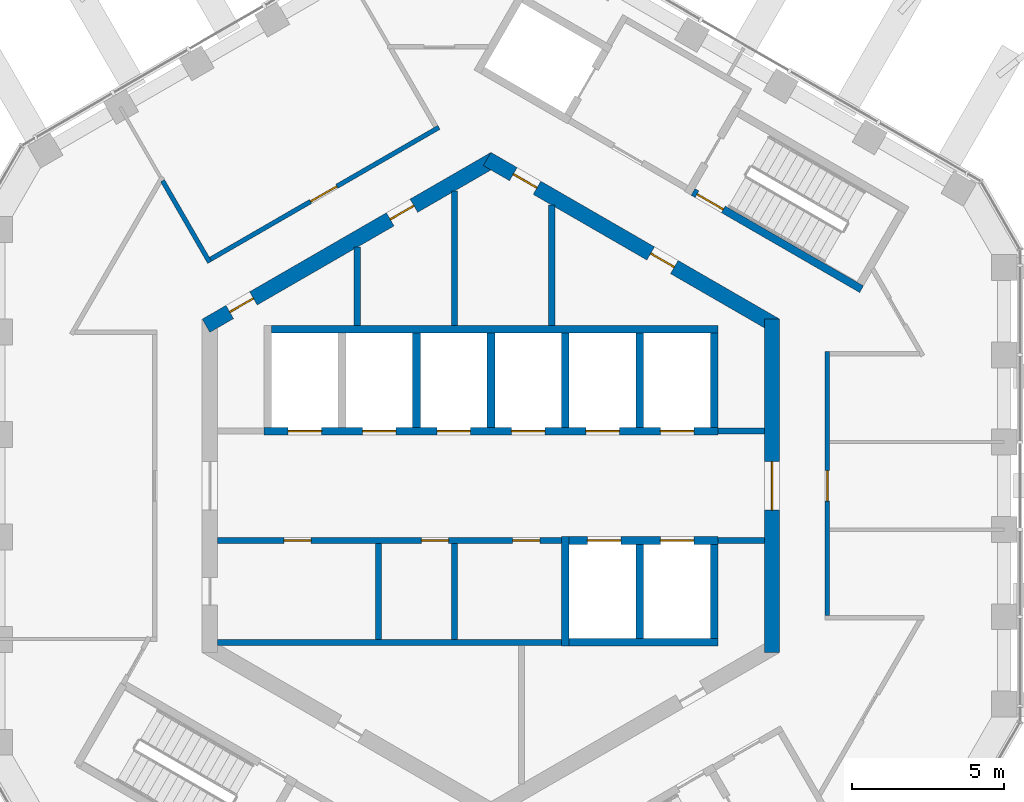
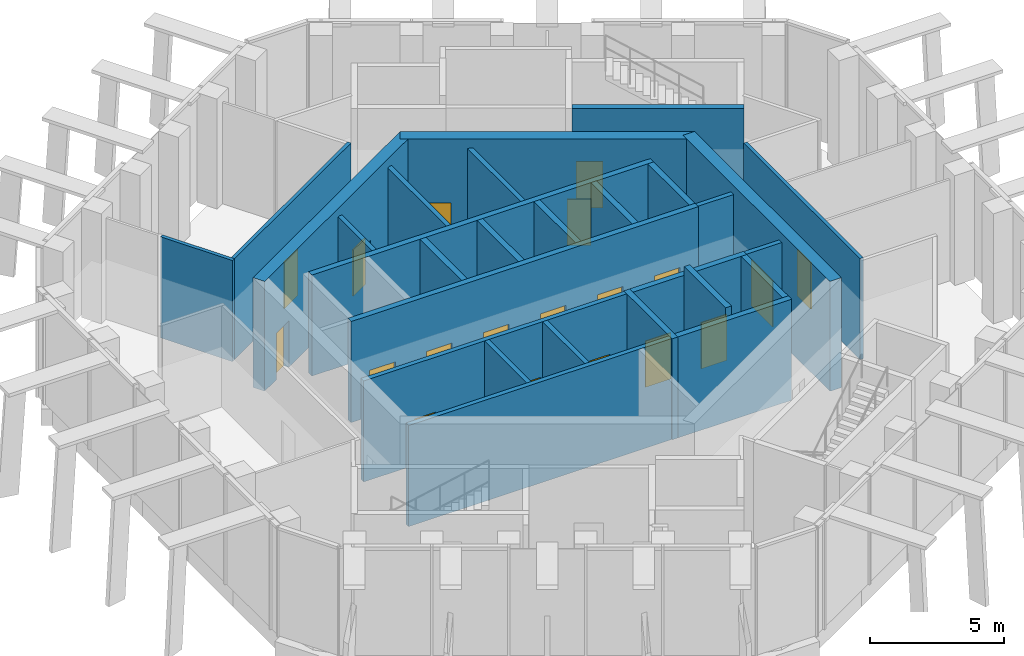
# One storey, part 12 of 17: 28 walls, 19 doors, 19 openings.
"""IFC4 building model written with IfcOpenShell, lengths in metres."""

from ifc_helpers import new_model, si_unit, direction, frame, frame_2d, origin, place, context, subcontext, project, spatial, rectangle, extrude, material, layer, layer_set, type_object, element, fill, save


model = new_model("IFC4")

# Units and contexts
model_context = context("Model", 3, precision=1e-05, world=origin(), true_north=direction((0.0, 1.0)))
body_context = subcontext(model_context, "Body", "Model", "MODEL_VIEW")
ifc_project = project(units=[si_unit("LENGTHUNIT", "METRE"), si_unit("AREAUNIT", "SQUARE_METRE"), si_unit("VOLUMEUNIT", "CUBIC_METRE"), si_unit("PLANEANGLEUNIT", "RADIAN"), si_unit("MASSUNIT", "GRAM", prefix="KILO")], contexts=[model_context])

# Site, building, storey
site_placement = place(None, origin())
site = spatial("IfcSite", under=ifc_project, at=site_placement, CompositionType="ELEMENT")
building_placement = place(site_placement, origin())
building = spatial("IfcBuilding", under=site, at=building_placement, Name="Ayvan Gate Tower", CompositionType="ELEMENT")
storey_placement = place(building_placement, frame((0.0, 0.0, 257.89990234375)))
storey = spatial("IfcBuildingStorey", under=building, at=storey_placement, Name="L69", CompositionType="ELEMENT", Elevation=257.89990234375)

# Wall, opening, door
ifc_material_1 = material(Name="Concrete C60/75", Category="concrete")
ifc_layer_1 = layer(ifc_material_1, 0.5)
ifc_layer_set_1 = layer_set([ifc_layer_1], Name="Concrete C60/75")
wall_type_1 = type_object("IfcWallType", Name="Core wall 500 C60/75", PredefinedType="SHEAR", material=ifc_layer_set_1)
wall_1_placement = place(storey_placement, frame((9.25, -5.48486328125, 0.0), z_axis=(0.0, 0.0, 1.0), x_axis=(0.0, 1.0, 0.0)))
wall_1 = element("IfcWall", 1, at=wall_1_placement, inside=storey, type_object=wall_type_1, Name="CORE-L69-0", PredefinedType="SHEAR", context=body_context, shape_type="SweptSolid", body=[
    extrude(rectangle(XDim=10.9697265625, YDim=0.5, at=frame_2d((5.48486328125, 0.0))), origin(), (0.0, 0.0, 1.0), 5.0),
])
opening_1_placement = place(wall_1_placement, frame((4.684814453125, 0.0, 0.0)))
opening_1 = element("IfcOpeningElement", 2, at=opening_1_placement, cuts=wall_1, Name="Opening L69-D38", PredefinedType="OPENING", context=body_context, shape_type="SweptSolid", body=[
    extrude(rectangle(XDim=1.60009765625, YDim=2.10009765625, at=frame_2d((0.800048828125, 1.050048828125))), frame((0.0, 0.260009765625, 0.0), z_axis=(0.0, -1.0, 0.0), x_axis=(1.0, 0.0, 0.0)), (0.0, 0.0, 1.0), 0.52001953125),
])
ifc_material_2 = material(Name="Timber door leaf", Category="wood")
door_type_1 = type_object("IfcDoorType", Name="DT-1600", OperationType="NOTDEFINED", PredefinedType="DOOR", material=ifc_material_2)
door_1_placement = place(opening_1_placement, origin())
door_1 = element("IfcDoor", 3, at=door_1_placement, inside=storey, type_object=door_type_1, Name="CD-L69-38", OperationType="SINGLE_SWING_LEFT", OverallHeight=2.10009765625, OverallWidth=1.60009765625, PredefinedType="DOOR", context=body_context, shape_type="SweptSolid", body=[
    extrude(rectangle(XDim=1.60009765625, YDim=2.10009765625, at=frame_2d((0.800048828125, 1.050048828125))), frame((0.0, 0.02490234375, 0.0), z_axis=(0.0, -1.0, 0.0), x_axis=(1.0, 0.0, 0.0)), (0.0, 0.0, 1.0), 0.050048828125),
])
fill(opening_1, door_1)

# Wall, openings, doors
wall_2_placement = place(storey_placement, frame((9.375, 5.268310546875, 0.0), z_axis=(0.0, 0.0, 1.0), x_axis=(-0.866023993627, 0.500002442456, 0.0)))
wall_2 = element("IfcWall", 4, at=wall_2_placement, inside=storey, type_object=wall_type_1, Name="CORE-L69-1", PredefinedType="SHEAR", context=body_context, shape_type="SweptSolid", body=[
    extrude(rectangle(XDim=10.9697265625, YDim=0.5, at=frame_2d((5.48486328125, 0.0))), origin(), (0.0, 0.0, 1.0), 5.0),
])
opening_2_placement = place(wall_2_placement, frame((9.07568359375, 0.0, 0.0)))
opening_2 = element("IfcOpeningElement", 5, at=opening_2_placement, cuts=wall_2, Name="Opening L69-D33", PredefinedType="OPENING", context=body_context, shape_type="SweptSolid", body=[
    extrude(rectangle(XDim=0.89990234375, YDim=2.10009765625, at=frame_2d((0.449951171875, 1.050048828125))), frame((0.0, 0.260009765625, 0.0), z_axis=(0.0, -1.0, 0.0), x_axis=(1.0, 0.0, 0.0)), (0.0, 0.0, 1.0), 0.52001953125),
])
opening_3_placement = place(wall_2_placement, frame((3.857666015625, 0.0, 0.0)))
opening_3 = element("IfcOpeningElement", 6, at=opening_3_placement, cuts=wall_2, Name="Opening L69-D34", PredefinedType="OPENING", context=body_context, shape_type="SweptSolid", body=[
    extrude(rectangle(XDim=0.89990234375, YDim=2.10009765625, at=frame_2d((0.449951171875, 1.050048828125))), frame((0.0, 0.260009765625, 0.0), z_axis=(0.0, -1.0, 0.0), x_axis=(1.0, 0.0, 0.0)), (0.0, 0.0, 1.0), 0.52001953125),
])
door_type_2 = type_object("IfcDoorType", Name="DT-900", OperationType="NOTDEFINED", PredefinedType="DOOR", material=ifc_material_2)
door_2_placement = place(opening_2_placement, origin())
door_2 = element("IfcDoor", 7, at=door_2_placement, inside=storey, type_object=door_type_2, Name="CD-L69-33", OperationType="SINGLE_SWING_RIGHT", OverallHeight=2.10009765625, OverallWidth=0.89990234375, PredefinedType="DOOR", context=body_context, shape_type="SweptSolid", body=[
    extrude(rectangle(XDim=0.89990234375, YDim=2.10009765625, at=frame_2d((0.449951171875, 1.050048828125))), frame((0.0, 0.02490234375, 0.0), z_axis=(0.0, -1.0, 0.0), x_axis=(1.0, 0.0, 0.0)), (0.0, 0.0, 1.0), 0.050048828125),
])
fill(opening_2, door_2)
door_3_placement = place(opening_3_placement, origin())
door_3 = element("IfcDoor", 8, at=door_3_placement, inside=storey, type_object=door_type_2, Name="CD-L69-34", OperationType="SINGLE_SWING_LEFT", OverallHeight=2.10009765625, OverallWidth=0.89990234375, PredefinedType="DOOR", context=body_context, shape_type="SweptSolid", body=[
    extrude(rectangle(XDim=0.89990234375, YDim=2.10009765625, at=frame_2d((0.449951171875, 1.050048828125))), frame((0.0, 0.02490234375, 0.0), z_axis=(0.0, -1.0, 0.0), x_axis=(1.0, 0.0, 0.0)), (0.0, 0.0, 1.0), 0.050048828125),
])
fill(opening_3, door_3)

wall_3_placement = place(storey_placement, frame((0.125, 10.753173828125, 0.0), z_axis=(0.0, 0.0, 1.0), x_axis=(-0.866023993627, -0.500002442456, 0.0)))
wall_3 = element("IfcWall", 9, at=wall_3_placement, inside=storey, type_object=wall_type_1, Name="CORE-L69-2", PredefinedType="SHEAR", context=body_context, shape_type="SweptSolid", body=[
    extrude(rectangle(XDim=10.9697265625, YDim=0.5, at=frame_2d((5.48486328125, 0.0))), origin(), (0.0, 0.0, 1.0), 5.0),
])
opening_4_placement = place(wall_3_placement, frame((9.169677734375, 0.0, 0.0)))
opening_4 = element("IfcOpeningElement", 10, at=opening_4_placement, cuts=wall_3, Name="Opening L69-D31", PredefinedType="OPENING", context=body_context, shape_type="SweptSolid", body=[
    extrude(rectangle(XDim=0.89990234375, YDim=2.10009765625, at=frame_2d((0.449951171875, 1.050048828125))), frame((0.0, 0.260009765625, 0.0), z_axis=(0.0, -1.0, 0.0), x_axis=(1.0, 0.0, 0.0)), (0.0, 0.0, 1.0), 0.52001953125),
])
opening_5_placement = place(wall_3_placement, frame((3.072509765625, 0.0, 0.0)))
opening_5 = element("IfcOpeningElement", 11, at=opening_5_placement, cuts=wall_3, Name="Opening L69-D32", PredefinedType="OPENING", context=body_context, shape_type="SweptSolid", body=[
    extrude(rectangle(XDim=0.89990234375, YDim=2.10009765625, at=frame_2d((0.449951171875, 1.050048828125))), frame((0.0, 0.260009765625, 0.0), z_axis=(0.0, -1.0, 0.0), x_axis=(1.0, 0.0, 0.0)), (0.0, 0.0, 1.0), 0.52001953125),
])
door_4_placement = place(opening_4_placement, origin())
door_4 = element("IfcDoor", 12, at=door_4_placement, inside=storey, type_object=door_type_2, Name="CD-L69-31", OperationType="SINGLE_SWING_RIGHT", OverallHeight=2.10009765625, OverallWidth=0.89990234375, PredefinedType="DOOR", context=body_context, shape_type="SweptSolid", body=[
    extrude(rectangle(XDim=0.89990234375, YDim=2.10009765625, at=frame_2d((0.449951171875, 1.050048828125))), frame((0.0, 0.02490234375, 0.0), z_axis=(0.0, -1.0, 0.0), x_axis=(1.0, 0.0, 0.0)), (0.0, 0.0, 1.0), 0.050048828125),
])
fill(opening_4, door_4)
door_5_placement = place(opening_5_placement, origin())
door_5 = element("IfcDoor", 13, at=door_5_placement, inside=storey, type_object=door_type_2, Name="CD-L69-32", OperationType="SINGLE_SWING_LEFT", OverallHeight=2.10009765625, OverallWidth=0.89990234375, PredefinedType="DOOR", context=body_context, shape_type="SweptSolid", body=[
    extrude(rectangle(XDim=0.89990234375, YDim=2.10009765625, at=frame_2d((0.449951171875, 1.050048828125))), frame((0.0, 0.02490234375, 0.0), z_axis=(0.0, -1.0, 0.0), x_axis=(1.0, 0.0, 0.0)), (0.0, 0.0, 1.0), 0.050048828125),
])
fill(opening_5, door_5)

# Wall
ifc_material_3 = material(Name="Plasterboard on steel stud", Category="steel")
ifc_layer_2 = layer(ifc_material_3, 0.14990234375)
ifc_layer_set_2 = layer_set([ifc_layer_2], Name="Plasterboard on steel stud")
wall_type_2 = type_object("IfcWallType", Name="WT-CORR-150", PredefinedType="PARTITIONING", material=ifc_layer_set_2)
wall_4_placement = place(storey_placement, frame((-10.806396484375, 10.038818359375, 0.0), z_axis=(0.0, 0.0, 1.0), x_axis=(0.499990416364, -0.866030936828, 0.0)))
element("IfcWall", 14, at=wall_4_placement, inside=storey, type_object=wall_type_2, Name="IW-L69-010", PredefinedType="PARTITIONING", context=body_context, shape_type="SweptSolid", body=[
    extrude(rectangle(XDim=3.10205078125, YDim=0.14990234375, at=frame_2d((1.551025390625, 0.0))), origin(), (0.0, 0.0, 1.0), 4.60009765625),
])

# Wall, opening, door
wall_5_placement = place(storey_placement, frame((-9.227783203125, 7.454833984375, 0.0), z_axis=(0.0, 0.0, 1.0), x_axis=(0.866027239396, 0.499996820614, 0.0)))
wall_5 = element("IfcWall", 15, at=wall_5_placement, inside=storey, type_object=wall_type_2, Name="IW-L69-011", PredefinedType="PARTITIONING", context=body_context, shape_type="SweptSolid", body=[
    extrude(rectangle(XDim=8.67822265625, YDim=0.14990234375, at=frame_2d((4.339111328125, 0.0))), origin(), (0.0, 0.0, 1.0), 4.60009765625),
])
opening_6_placement = place(wall_5_placement, frame((3.801513671875, 0.0, 0.0)))
opening_6 = element("IfcOpeningElement", 16, at=opening_6_placement, cuts=wall_5, Name="Opening L69-D27", PredefinedType="OPENING", context=body_context, shape_type="SweptSolid", body=[
    extrude(rectangle(XDim=1.0, YDim=2.10009765625, at=frame_2d((0.5, 1.050048828125))), frame((0.0, 0.0849609375, 0.0), z_axis=(0.0, -1.0, 0.0), x_axis=(1.0, 0.0, 0.0)), (0.0, 0.0, 1.0), 0.169921875),
])
door_type_3 = type_object("IfcDoorType", Name="DT-1000", OperationType="NOTDEFINED", PredefinedType="DOOR", material=ifc_material_2)
door_6_placement = place(opening_6_placement, origin())
door_6 = element("IfcDoor", 17, at=door_6_placement, inside=storey, type_object=door_type_3, Name="ID-L69-027", OperationType="SINGLE_SWING_RIGHT", OverallHeight=2.10009765625, OverallWidth=1.0, PredefinedType="DOOR", context=body_context, shape_type="SweptSolid", body=[
    extrude(rectangle(XDim=1.0, YDim=2.10009765625, at=frame_2d((0.5, 1.050048828125))), frame((0.0, 0.02490234375, 0.0), z_axis=(0.0, -1.0, 0.0), x_axis=(1.0, 0.0, 0.0)), (0.0, 0.0, 1.0), 0.050048828125),
])
fill(opening_6, door_6)

wall_6_placement = place(storey_placement, frame((11.070068359375, -4.26416015625, 0.0), z_axis=(0.0, 0.0, 1.0), x_axis=(0.0, 1.0, 0.0)))
wall_6 = element("IfcWall", 18, at=wall_6_placement, inside=storey, type_object=wall_type_2, Name="IW-L69-076", PredefinedType="PARTITIONING", context=body_context, shape_type="SweptSolid", body=[
    extrude(rectangle(XDim=8.67822265625, YDim=0.14990234375, at=frame_2d((4.339111328125, 0.0))), origin(), (0.0, 0.0, 1.0), 4.60009765625),
])
opening_7_placement = place(wall_6_placement, frame((3.76416015625, 0.0, 0.0)))
opening_7 = element("IfcOpeningElement", 19, at=opening_7_placement, cuts=wall_6, Name="Opening L69-D23", PredefinedType="OPENING", context=body_context, shape_type="SweptSolid", body=[
    extrude(rectangle(XDim=1.0, YDim=2.10009765625, at=frame_2d((0.5, 1.050048828125))), frame((0.0, 0.0849609375, 0.0), z_axis=(0.0, -1.0, 0.0), x_axis=(1.0, 0.0, 0.0)), (0.0, 0.0, 1.0), 0.169921875),
])
door_7_placement = place(opening_7_placement, origin())
door_7 = element("IfcDoor", 20, at=door_7_placement, inside=storey, type_object=door_type_3, Name="ID-L69-023", OperationType="SINGLE_SWING_RIGHT", OverallHeight=2.10009765625, OverallWidth=1.0, PredefinedType="DOOR", context=body_context, shape_type="SweptSolid", body=[
    extrude(rectangle(XDim=1.0, YDim=2.10009765625, at=frame_2d((0.5, 1.050048828125))), frame((0.0, 0.02490234375, 0.0), z_axis=(0.0, -1.0, 0.0), x_axis=(1.0, 0.0, 0.0)), (0.0, 0.0, 1.0), 0.050048828125),
])
fill(opening_7, door_7)

# Walls
ifc_layer_3 = layer(ifc_material_3, 0.199951171875)
ifc_layer_set_3 = layer_set([ifc_layer_3], Name="Plasterboard on steel stud")
wall_type_3 = type_object("IfcWallType", Name="WT-RATED-200", PredefinedType="PARTITIONING", material=ifc_layer_set_3)
wall_7_placement = place(storey_placement, frame((-9.0, -5.14990234375, 0.0), z_axis=(0.0, 0.0, 1.0), x_axis=(1.0, 0.0, 0.0)))
element("IfcWall", 21, at=wall_7_placement, inside=storey, type_object=wall_type_3, Name="IW-L69-013", PredefinedType="PARTITIONING", context=body_context, shape_type="SweptSolid", body=[
    extrude(rectangle(XDim=11.3251953125, YDim=0.199951171875, at=frame_2d((5.66259765625, 0.0))), origin(), (0.0, 0.0, 1.0), 4.60009765625),
])
wall_8_placement = place(storey_placement, frame((-4.39990234375, 7.85205078125, 0.0), z_axis=(0.0, 0.0, 1.0), x_axis=(0.0, -1.0, 0.0)))
element("IfcWall", 22, at=wall_8_placement, inside=storey, type_object=wall_type_3, Name="IW-L69-025", PredefinedType="PARTITIONING", context=body_context, shape_type="SweptSolid", body=[
    extrude(rectangle(XDim=2.5771484375, YDim=0.199951171875, at=frame_2d((1.28857421875, 0.0))), origin(), (0.0, 0.0, 1.0), 4.60009765625),
])
wall_9_placement = place(storey_placement, frame((-3.699951171875, -1.89990234375, 0.0), z_axis=(0.0, 0.0, 1.0), x_axis=(0.0, -1.0, 0.0)))
element("IfcWall", 23, at=wall_9_placement, inside=storey, type_object=wall_type_3, Name="IW-L69-029", PredefinedType="PARTITIONING", context=body_context, shape_type="SweptSolid", body=[
    extrude(rectangle(XDim=3.150146484375, YDim=0.199951171875, at=frame_2d((1.5751953125, 0.0))), origin(), (0.0, 0.0, 1.0), 4.60009765625),
])

# Wall, openings, doors
wall_10_placement = place(storey_placement, frame((-9.0, -1.800048828125, 0.0), z_axis=(0.0, 0.0, 1.0), x_axis=(1.0, 0.0, 0.0)))
wall_10 = element("IfcWall", 24, at=wall_10_placement, inside=storey, type_object=wall_type_3, Name="IW-L69-030", PredefinedType="PARTITIONING", context=body_context, shape_type="SweptSolid", body=[
    extrude(rectangle(XDim=11.3251953125, YDim=0.199951171875, at=frame_2d((5.66259765625, 0.0))), origin(), (0.0, 0.0, 1.0), 4.60009765625),
])
opening_8_placement = place(wall_10_placement, frame((2.18505859375, 0.0, 0.0)))
opening_8 = element("IfcOpeningElement", 25, at=opening_8_placement, cuts=wall_10, Name="Opening L69-D09", PredefinedType="OPENING", context=body_context, shape_type="SweptSolid", body=[
    extrude(rectangle(XDim=0.89990234375, YDim=2.10009765625, at=frame_2d((0.449951171875, 1.050048828125))), frame((0.0, 0.10986328125, 0.0), z_axis=(0.0, -1.0, 0.0), x_axis=(1.0, 0.0, 0.0)), (0.0, 0.0, 1.0), 0.219970703125),
])
opening_9_placement = place(wall_10_placement, frame((6.7099609375, 0.0, 0.0)))
opening_9 = element("IfcOpeningElement", 26, at=opening_9_placement, cuts=wall_10, Name="Opening L69-D10", PredefinedType="OPENING", context=body_context, shape_type="SweptSolid", body=[
    extrude(rectangle(XDim=0.89990234375, YDim=2.10009765625, at=frame_2d((0.449951171875, 1.050048828125))), frame((0.0, 0.10986328125, 0.0), z_axis=(0.0, -1.0, 0.0), x_axis=(1.0, 0.0, 0.0)), (0.0, 0.0, 1.0), 0.219970703125),
])
opening_10_placement = place(wall_10_placement, frame((9.712646484375, 0.0, 0.0)))
opening_10 = element("IfcOpeningElement", 27, at=opening_10_placement, cuts=wall_10, Name="Opening L69-D11", PredefinedType="OPENING", context=body_context, shape_type="SweptSolid", body=[
    extrude(rectangle(XDim=0.89990234375, YDim=2.10009765625, at=frame_2d((0.449951171875, 1.050048828125))), frame((0.0, 0.10986328125, 0.0), z_axis=(0.0, -1.0, 0.0), x_axis=(1.0, 0.0, 0.0)), (0.0, 0.0, 1.0), 0.219970703125),
])
door_8_placement = place(opening_8_placement, origin())
door_8 = element("IfcDoor", 28, at=door_8_placement, inside=storey, type_object=door_type_2, Name="ID-L69-009", OperationType="SINGLE_SWING_RIGHT", OverallHeight=2.10009765625, OverallWidth=0.89990234375, PredefinedType="DOOR", context=body_context, shape_type="SweptSolid", body=[
    extrude(rectangle(XDim=0.89990234375, YDim=2.10009765625, at=frame_2d((0.449951171875, 1.050048828125))), frame((0.0, 0.02490234375, 0.0), z_axis=(0.0, -1.0, 0.0), x_axis=(1.0, 0.0, 0.0)), (0.0, 0.0, 1.0), 0.050048828125),
])
fill(opening_8, door_8)
door_9_placement = place(opening_9_placement, origin())
door_9 = element("IfcDoor", 29, at=door_9_placement, inside=storey, type_object=door_type_2, Name="ID-L69-010", OperationType="SINGLE_SWING_LEFT", OverallHeight=2.10009765625, OverallWidth=0.89990234375, PredefinedType="DOOR", context=body_context, shape_type="SweptSolid", body=[
    extrude(rectangle(XDim=0.89990234375, YDim=2.10009765625, at=frame_2d((0.449951171875, 1.050048828125))), frame((0.0, 0.02490234375, 0.0), z_axis=(0.0, -1.0, 0.0), x_axis=(1.0, 0.0, 0.0)), (0.0, 0.0, 1.0), 0.050048828125),
])
fill(opening_9, door_9)
door_10_placement = place(opening_10_placement, origin())
door_10 = element("IfcDoor", 30, at=door_10_placement, inside=storey, type_object=door_type_2, Name="ID-L69-011", OperationType="SINGLE_SWING_RIGHT", OverallHeight=2.10009765625, OverallWidth=0.89990234375, PredefinedType="DOOR", context=body_context, shape_type="SweptSolid", body=[
    extrude(rectangle(XDim=0.89990234375, YDim=2.10009765625, at=frame_2d((0.449951171875, 1.050048828125))), frame((0.0, 0.02490234375, 0.0), z_axis=(0.0, -1.0, 0.0), x_axis=(1.0, 0.0, 0.0)), (0.0, 0.0, 1.0), 0.050048828125),
])
fill(opening_10, door_10)

# Walls
wall_11_placement = place(storey_placement, frame((-1.199951171875, -1.89990234375, 0.0), z_axis=(0.0, 0.0, 1.0), x_axis=(0.0, -1.0, 0.0)))
element("IfcWall", 31, at=wall_11_placement, inside=storey, type_object=wall_type_3, Name="IW-L69-036", PredefinedType="PARTITIONING", context=body_context, shape_type="SweptSolid", body=[
    extrude(rectangle(XDim=3.150146484375, YDim=0.199951171875, at=frame_2d((1.5751953125, 0.0))), origin(), (0.0, 0.0, 1.0), 4.60009765625),
])
wall_12_placement = place(storey_placement, frame((-1.199951171875, 9.699462890625, 0.0), z_axis=(0.0, 0.0, 1.0), x_axis=(0.0, -1.0, 0.0)))
element("IfcWall", 32, at=wall_12_placement, inside=storey, type_object=wall_type_3, Name="IW-L69-037", PredefinedType="PARTITIONING", context=body_context, shape_type="SweptSolid", body=[
    extrude(rectangle(XDim=4.424560546875, YDim=0.199951171875, at=frame_2d((2.21240234375, 0.0))), origin(), (0.0, 0.0, 1.0), 4.60009765625),
])
wall_13_placement = place(storey_placement, frame((2.0, 9.237548828125, 0.0), z_axis=(0.0, 0.0, 1.0), x_axis=(0.0, -1.0, 0.0)))
element("IfcWall", 33, at=wall_13_placement, inside=storey, type_object=wall_type_3, Name="IW-L69-048", PredefinedType="PARTITIONING", context=body_context, shape_type="SweptSolid", body=[
    extrude(rectangle(XDim=3.962646484375, YDim=0.199951171875, at=frame_2d((1.9814453125, 0.0))), origin(), (0.0, 0.0, 1.0), 4.60009765625),
])
for number, where, z_axis, x_axis, name in (
    (34, (7.474853515625, 1.800048828125, 0.0), (0.0, 0.0, 1.0), (1.0, 0.0, 0.0), "IW-L69-065"),
    (35, (9.0, -1.800048828125, 0.0), (0.0, 0.0, 1.0), (-1.0, 0.0, 0.0), "IW-L69-072"),
):
    element("IfcWall", number, at=place(storey_placement, frame(where, z_axis=z_axis, x_axis=x_axis)), inside=storey, type_object=wall_type_3, Name=name, PredefinedType="PARTITIONING", context=body_context, shape_type="SweptSolid", body=[
        extrude(rectangle(XDim=1.525146484375, YDim=0.199951171875, at=frame_2d((0.7626953125, 0.0))), origin(), (0.0, 0.0, 1.0), 4.60009765625),
    ])

# Wall, openings, doors
ifc_material_4 = material(Name="Concrete C50/60", Category="concrete")
ifc_layer_4 = layer(ifc_material_4, 0.25)
ifc_layer_set_4 = layer_set([ifc_layer_4], Name="Concrete C50/60")
wall_type_4 = type_object("IfcWallType", Name="WT-RC-250", PredefinedType="SHEAR", material=ifc_layer_set_4)
wall_14_placement = place(storey_placement, frame((-7.47509765625, 1.800048828125, 0.0), z_axis=(0.0, 0.0, 1.0), x_axis=(1.0, 0.0, 0.0)))
wall_14 = element("IfcWall", 36, at=wall_14_placement, inside=storey, type_object=wall_type_4, Name="IW-L69-016", PredefinedType="SHEAR", context=body_context, shape_type="SweptSolid", body=[
    extrude(rectangle(XDim=14.9501953125, YDim=0.25, at=frame_2d((7.47509765625, 0.0))), origin(), (0.0, 0.0, 1.0), 4.60009765625),
])
opening_11_placement = place(wall_14_placement, frame((0.800048828125, 0.0, 0.0)))
opening_11 = element("IfcOpeningElement", 37, at=opening_11_placement, cuts=wall_14, Name="Opening L69-LD-HR1", PredefinedType="OPENING", context=body_context, shape_type="SweptSolid", body=[
    extrude(rectangle(XDim=1.10009765625, YDim=2.10009765625, at=frame_2d((0.550048828125, 1.050048828125))), frame((0.0, 0.135009765625, 0.0), z_axis=(0.0, -1.0, 0.0), x_axis=(1.0, 0.0, 0.0)), (0.0, 0.0, 1.0), 0.27001953125),
])
opening_12_placement = place(wall_14_placement, frame((3.25, 0.0, 0.0)))
opening_12 = element("IfcOpeningElement", 38, at=opening_12_placement, cuts=wall_14, Name="Opening L69-LD-HR2", PredefinedType="OPENING", context=body_context, shape_type="SweptSolid", body=[
    extrude(rectangle(XDim=1.10009765625, YDim=2.10009765625, at=frame_2d((0.550048828125, 1.050048828125))), frame((0.0, 0.135009765625, 0.0), z_axis=(0.0, -1.0, 0.0), x_axis=(1.0, 0.0, 0.0)), (0.0, 0.0, 1.0), 0.27001953125),
])
opening_13_placement = place(wall_14_placement, frame((5.7001953125, 0.0, 0.0)))
opening_13 = element("IfcOpeningElement", 39, at=opening_13_placement, cuts=wall_14, Name="Opening L69-LD-HR3", PredefinedType="OPENING", context=body_context, shape_type="SweptSolid", body=[
    extrude(rectangle(XDim=1.10009765625, YDim=2.10009765625, at=frame_2d((0.550048828125, 1.050048828125))), frame((0.0, 0.135009765625, 0.0), z_axis=(0.0, -1.0, 0.0), x_axis=(1.0, 0.0, 0.0)), (0.0, 0.0, 1.0), 0.27001953125),
])
opening_14_placement = place(wall_14_placement, frame((8.150146484375, 0.0, 0.0)))
opening_14 = element("IfcOpeningElement", 40, at=opening_14_placement, cuts=wall_14, Name="Opening L69-LD-HR4", PredefinedType="OPENING", context=body_context, shape_type="SweptSolid", body=[
    extrude(rectangle(XDim=1.10009765625, YDim=2.10009765625, at=frame_2d((0.550048828125, 1.050048828125))), frame((0.0, 0.135009765625, 0.0), z_axis=(0.0, -1.0, 0.0), x_axis=(1.0, 0.0, 0.0)), (0.0, 0.0, 1.0), 0.27001953125),
])
opening_15_placement = place(wall_14_placement, frame((10.60009765625, 0.0, 0.0)))
opening_15 = element("IfcOpeningElement", 41, at=opening_15_placement, cuts=wall_14, Name="Opening L69-LD-HR5", PredefinedType="OPENING", context=body_context, shape_type="SweptSolid", body=[
    extrude(rectangle(XDim=1.10009765625, YDim=2.10009765625, at=frame_2d((0.550048828125, 1.050048828125))), frame((0.0, 0.135009765625, 0.0), z_axis=(0.0, -1.0, 0.0), x_axis=(1.0, 0.0, 0.0)), (0.0, 0.0, 1.0), 0.27001953125),
])
opening_16_placement = place(wall_14_placement, frame((13.050048828125, 0.0, 0.0)))
opening_16 = element("IfcOpeningElement", 42, at=opening_16_placement, cuts=wall_14, Name="Opening L69-LD-HR6", PredefinedType="OPENING", context=body_context, shape_type="SweptSolid", body=[
    extrude(rectangle(XDim=1.10009765625, YDim=2.10009765625, at=frame_2d((0.550048828125, 1.050048828125))), frame((0.0, 0.135009765625, 0.0), z_axis=(0.0, -1.0, 0.0), x_axis=(1.0, 0.0, 0.0)), (0.0, 0.0, 1.0), 0.27001953125),
])
ifc_material_5 = material(Name="Stainless steel landing door", Category="steel")
door_type_4 = type_object("IfcDoorType", Name="DT-LANDING-1100", OperationType="SLIDING_TO_LEFT", PredefinedType="DOOR", material=ifc_material_5)
door_11_placement = place(opening_11_placement, origin())
door_11 = element("IfcDoor", 43, at=door_11_placement, inside=storey, type_object=door_type_4, Name="ID-L69-001", OperationType="SLIDING_TO_LEFT", OverallHeight=2.10009765625, OverallWidth=1.10009765625, PredefinedType="DOOR", context=body_context, shape_type="SweptSolid", body=[
    extrude(rectangle(XDim=1.10009765625, YDim=2.10009765625, at=frame_2d((0.550048828125, 1.050048828125))), frame((0.0, 0.02490234375, 0.0), z_axis=(0.0, -1.0, 0.0), x_axis=(1.0, 0.0, 0.0)), (0.0, 0.0, 1.0), 0.050048828125),
])
fill(opening_11, door_11)
door_12_placement = place(opening_12_placement, origin())
door_12 = element("IfcDoor", 44, at=door_12_placement, inside=storey, type_object=door_type_4, Name="ID-L69-002", OperationType="SLIDING_TO_LEFT", OverallHeight=2.10009765625, OverallWidth=1.10009765625, PredefinedType="DOOR", context=body_context, shape_type="SweptSolid", body=[
    extrude(rectangle(XDim=1.10009765625, YDim=2.10009765625, at=frame_2d((0.550048828125, 1.050048828125))), frame((0.0, 0.02490234375, 0.0), z_axis=(0.0, -1.0, 0.0), x_axis=(1.0, 0.0, 0.0)), (0.0, 0.0, 1.0), 0.050048828125),
])
fill(opening_12, door_12)
door_13_placement = place(opening_13_placement, origin())
door_13 = element("IfcDoor", 45, at=door_13_placement, inside=storey, type_object=door_type_4, Name="ID-L69-003", OperationType="SLIDING_TO_LEFT", OverallHeight=2.10009765625, OverallWidth=1.10009765625, PredefinedType="DOOR", context=body_context, shape_type="SweptSolid", body=[
    extrude(rectangle(XDim=1.10009765625, YDim=2.10009765625, at=frame_2d((0.550048828125, 1.050048828125))), frame((0.0, 0.02490234375, 0.0), z_axis=(0.0, -1.0, 0.0), x_axis=(1.0, 0.0, 0.0)), (0.0, 0.0, 1.0), 0.050048828125),
])
fill(opening_13, door_13)
door_14_placement = place(opening_14_placement, origin())
door_14 = element("IfcDoor", 46, at=door_14_placement, inside=storey, type_object=door_type_4, Name="ID-L69-004", OperationType="SLIDING_TO_LEFT", OverallHeight=2.10009765625, OverallWidth=1.10009765625, PredefinedType="DOOR", context=body_context, shape_type="SweptSolid", body=[
    extrude(rectangle(XDim=1.10009765625, YDim=2.10009765625, at=frame_2d((0.550048828125, 1.050048828125))), frame((0.0, 0.02490234375, 0.0), z_axis=(0.0, -1.0, 0.0), x_axis=(1.0, 0.0, 0.0)), (0.0, 0.0, 1.0), 0.050048828125),
])
fill(opening_14, door_14)
door_15_placement = place(opening_15_placement, origin())
door_15 = element("IfcDoor", 47, at=door_15_placement, inside=storey, type_object=door_type_4, Name="ID-L69-005", OperationType="SLIDING_TO_LEFT", OverallHeight=2.10009765625, OverallWidth=1.10009765625, PredefinedType="DOOR", context=body_context, shape_type="SweptSolid", body=[
    extrude(rectangle(XDim=1.10009765625, YDim=2.10009765625, at=frame_2d((0.550048828125, 1.050048828125))), frame((0.0, 0.02490234375, 0.0), z_axis=(0.0, -1.0, 0.0), x_axis=(1.0, 0.0, 0.0)), (0.0, 0.0, 1.0), 0.050048828125),
])
fill(opening_15, door_15)
door_16_placement = place(opening_16_placement, origin())
door_16 = element("IfcDoor", 48, at=door_16_placement, inside=storey, type_object=door_type_4, Name="ID-L69-006", OperationType="SLIDING_TO_LEFT", OverallHeight=2.10009765625, OverallWidth=1.10009765625, PredefinedType="DOOR", context=body_context, shape_type="SweptSolid", body=[
    extrude(rectangle(XDim=1.10009765625, YDim=2.10009765625, at=frame_2d((0.550048828125, 1.050048828125))), frame((0.0, 0.02490234375, 0.0), z_axis=(0.0, -1.0, 0.0), x_axis=(1.0, 0.0, 0.0)), (0.0, 0.0, 1.0), 0.050048828125),
])
fill(opening_16, door_16)

# Walls
wall_15_placement = place(storey_placement, frame((-7.22509765625, 5.14990234375, 0.0), z_axis=(0.0, 0.0, 1.0), x_axis=(1.0, 0.0, 0.0)))
element("IfcWall", 49, at=wall_15_placement, inside=storey, type_object=wall_type_4, Name="IW-L69-018", PredefinedType="SHEAR", context=body_context, shape_type="SweptSolid", body=[
    extrude(rectangle(XDim=14.7001953125, YDim=0.25, at=frame_2d((7.35009765625, 0.0))), origin(), (0.0, 0.0, 1.0), 4.60009765625),
])
for number, where, z_axis, x_axis, name in (
    (50, (-2.449951171875, 5.02490234375, 0.0), (0.0, 0.0, 1.0), (0.0, -1.0, 0.0), "IW-L69-034"),
    (51, (0.0, 5.02490234375, 0.0), (0.0, 0.0, 1.0), (0.0, -1.0, 0.0), "IW-L69-040"),
):
    element("IfcWall", number, at=place(storey_placement, frame(where, z_axis=z_axis, x_axis=x_axis)), inside=storey, type_object=wall_type_4, Name=name, PredefinedType="SHEAR", context=body_context, shape_type="SweptSolid", body=[
        extrude(rectangle(XDim=3.099853515625, YDim=0.25, at=frame_2d((1.5498046875, 0.0))), origin(), (0.0, 0.0, 1.0), 4.60009765625),
    ])
wall_16_placement = place(storey_placement, frame((2.449951171875, -5.27490234375, 0.0), z_axis=(0.0, 0.0, 1.0), x_axis=(0.0, 1.0, 0.0)))
element("IfcWall", 52, at=wall_16_placement, inside=storey, type_object=wall_type_4, Name="IW-L69-049", PredefinedType="SHEAR", context=body_context, shape_type="SweptSolid", body=[
    extrude(rectangle(XDim=3.599853515625, YDim=0.25, at=frame_2d((1.7998046875, 0.0))), origin(), (0.0, 0.0, 1.0), 4.60009765625),
])
wall_17_placement = place(storey_placement, frame((2.449951171875, 5.02490234375, 0.0), z_axis=(0.0, 0.0, 1.0), x_axis=(0.0, -1.0, 0.0)))
element("IfcWall", 53, at=wall_17_placement, inside=storey, type_object=wall_type_4, Name="IW-L69-050", PredefinedType="SHEAR", context=body_context, shape_type="SweptSolid", body=[
    extrude(rectangle(XDim=3.099853515625, YDim=0.25, at=frame_2d((1.5498046875, 0.0))), origin(), (0.0, 0.0, 1.0), 4.60009765625),
])
wall_18_placement = place(storey_placement, frame((2.574951171875, -5.14990234375, 0.0), z_axis=(0.0, 0.0, 1.0), x_axis=(1.0, 0.0, 0.0)))
element("IfcWall", 54, at=wall_18_placement, inside=storey, type_object=wall_type_4, Name="IW-L69-057", PredefinedType="SHEAR", context=body_context, shape_type="SweptSolid", body=[
    extrude(rectangle(XDim=4.900146484375, YDim=0.25, at=frame_2d((2.4501953125, 0.0))), origin(), (0.0, 0.0, 1.0), 4.60009765625),
])
wall_19_placement = place(storey_placement, frame((4.89990234375, -1.925048828125, 0.0), z_axis=(0.0, 0.0, 1.0), x_axis=(0.0, -1.0, 0.0)))
element("IfcWall", 55, at=wall_19_placement, inside=storey, type_object=wall_type_4, Name="IW-L69-058", PredefinedType="SHEAR", context=body_context, shape_type="SweptSolid", body=[
    extrude(rectangle(XDim=3.099853515625, YDim=0.25, at=frame_2d((1.5498046875, 0.0))), origin(), (0.0, 0.0, 1.0), 5.0),
])
wall_20_placement = place(storey_placement, frame((4.89990234375, 5.02490234375, 0.0), z_axis=(0.0, 0.0, 1.0), x_axis=(0.0, -1.0, 0.0)))
element("IfcWall", 56, at=wall_20_placement, inside=storey, type_object=wall_type_4, Name="IW-L69-059", PredefinedType="SHEAR", context=body_context, shape_type="SweptSolid", body=[
    extrude(rectangle(XDim=3.099853515625, YDim=0.25, at=frame_2d((1.5498046875, 0.0))), origin(), (0.0, 0.0, 1.0), 4.60009765625),
])

# Wall, openings, doors
wall_21_placement = place(storey_placement, frame((2.574951171875, -1.800048828125, 0.0), z_axis=(0.0, 0.0, 1.0), x_axis=(1.0, 0.0, 0.0)))
wall_21 = element("IfcWall", 57, at=wall_21_placement, inside=storey, type_object=wall_type_4, Name="IW-L69-060", PredefinedType="SHEAR", context=body_context, shape_type="SweptSolid", body=[
    extrude(rectangle(XDim=4.900146484375, YDim=0.25, at=frame_2d((2.4501953125, 0.0))), origin(), (0.0, 0.0, 1.0), 4.60009765625),
])
opening_17_placement = place(wall_21_placement, frame((0.597412109375, 0.0, 0.0)))
opening_17 = element("IfcOpeningElement", 58, at=opening_17_placement, cuts=wall_21, Name="Opening L69-LD-SV", PredefinedType="OPENING", context=body_context, shape_type="SweptSolid", body=[
    extrude(rectangle(XDim=1.10009765625, YDim=2.10009765625, at=frame_2d((0.550048828125, 1.050048828125))), frame((0.0, 0.135009765625, 0.0), z_axis=(0.0, -1.0, 0.0), x_axis=(1.0, 0.0, 0.0)), (0.0, 0.0, 1.0), 0.27001953125),
])
opening_18_placement = place(wall_21_placement, frame((3.0, 0.0, 0.0)))
opening_18 = element("IfcOpeningElement", 59, at=opening_18_placement, cuts=wall_21, Name="Opening L69-LD-OB", PredefinedType="OPENING", context=body_context, shape_type="SweptSolid", body=[
    extrude(rectangle(XDim=1.10009765625, YDim=2.10009765625, at=frame_2d((0.550048828125, 1.050048828125))), frame((0.0, 0.135009765625, 0.0), z_axis=(0.0, -1.0, 0.0), x_axis=(1.0, 0.0, 0.0)), (0.0, 0.0, 1.0), 0.27001953125),
])
door_17_placement = place(opening_17_placement, origin())
door_17 = element("IfcDoor", 60, at=door_17_placement, inside=storey, type_object=door_type_4, Name="ID-L69-007", OperationType="SLIDING_TO_LEFT", OverallHeight=2.10009765625, OverallWidth=1.10009765625, PredefinedType="DOOR", context=body_context, shape_type="SweptSolid", body=[
    extrude(rectangle(XDim=1.10009765625, YDim=2.10009765625, at=frame_2d((0.550048828125, 1.050048828125))), frame((0.0, 0.02490234375, 0.0), z_axis=(0.0, -1.0, 0.0), x_axis=(1.0, 0.0, 0.0)), (0.0, 0.0, 1.0), 0.050048828125),
])
fill(opening_17, door_17)
door_18_placement = place(opening_18_placement, origin())
door_18 = element("IfcDoor", 61, at=door_18_placement, inside=storey, type_object=door_type_4, Name="ID-L69-008", OperationType="SLIDING_TO_LEFT", OverallHeight=2.10009765625, OverallWidth=1.10009765625, PredefinedType="DOOR", context=body_context, shape_type="SweptSolid", body=[
    extrude(rectangle(XDim=1.10009765625, YDim=2.10009765625, at=frame_2d((0.550048828125, 1.050048828125))), frame((0.0, 0.02490234375, 0.0), z_axis=(0.0, -1.0, 0.0), x_axis=(1.0, 0.0, 0.0)), (0.0, 0.0, 1.0), 0.050048828125),
])
fill(opening_18, door_18)

# Walls
for number, where, z_axis, x_axis, name in (
    (62, (7.35009765625, -1.925048828125, 0.0), (0.0, 0.0, 1.0), (0.0, -1.0, 0.0), "IW-L69-066"),
    (63, (7.35009765625, 5.02490234375, 0.0), (0.0, 0.0, 1.0), (0.0, -1.0, 0.0), "IW-L69-067"),
):
    element("IfcWall", number, at=place(storey_placement, frame(where, z_axis=z_axis, x_axis=x_axis)), inside=storey, type_object=wall_type_4, Name=name, PredefinedType="SHEAR", context=body_context, shape_type="SweptSolid", body=[
        extrude(rectangle(XDim=3.099853515625, YDim=0.25, at=frame_2d((1.5498046875, 0.0))), origin(), (0.0, 0.0, 1.0), 4.60009765625),
    ])

# Wall, opening, door
wall_22_placement = place(storey_placement, frame((12.193603515625, 6.469970703125, 0.0), z_axis=(0.0, 0.0, 1.0), x_axis=(-0.866025499775, 0.499999833739, 0.0)))
wall_22 = element("IfcWall", 64, at=wall_22_placement, inside=storey, type_object=wall_type_4, Name="IW-L69-078", PredefinedType="SHEAR", context=body_context, shape_type="SweptSolid", body=[
    extrude(rectangle(XDim=6.39990234375, YDim=0.25, at=frame_2d((3.199951171875, 0.0))), origin(), (0.0, 0.0, 1.0), 4.60009765625),
])
opening_19_placement = place(wall_22_placement, frame((5.25, 0.0, 0.0)))
opening_19 = element("IfcOpeningElement", 65, at=opening_19_placement, cuts=wall_22, Name="Opening L69-D12", PredefinedType="OPENING", context=body_context, shape_type="SweptSolid", body=[
    extrude(rectangle(XDim=1.0, YDim=2.10009765625, at=frame_2d((0.5, 1.050048828125))), frame((0.0, 0.135009765625, 0.0), z_axis=(0.0, -1.0, 0.0), x_axis=(1.0, 0.0, 0.0)), (0.0, 0.0, 1.0), 0.27001953125),
])
door_19_placement = place(opening_19_placement, origin())
door_19 = element("IfcDoor", 66, at=door_19_placement, inside=storey, type_object=door_type_3, Name="ID-L69-012", OperationType="SINGLE_SWING_LEFT", OverallHeight=2.10009765625, OverallWidth=1.0, PredefinedType="DOOR", context=body_context, shape_type="SweptSolid", body=[
    extrude(rectangle(XDim=1.0, YDim=2.10009765625, at=frame_2d((0.5, 1.050048828125))), frame((0.0, 0.02490234375, 0.0), z_axis=(0.0, -1.0, 0.0), x_axis=(1.0, 0.0, 0.0)), (0.0, 0.0, 1.0), 0.050048828125),
])
fill(opening_19, door_19)

save(model, "model.ifc")
